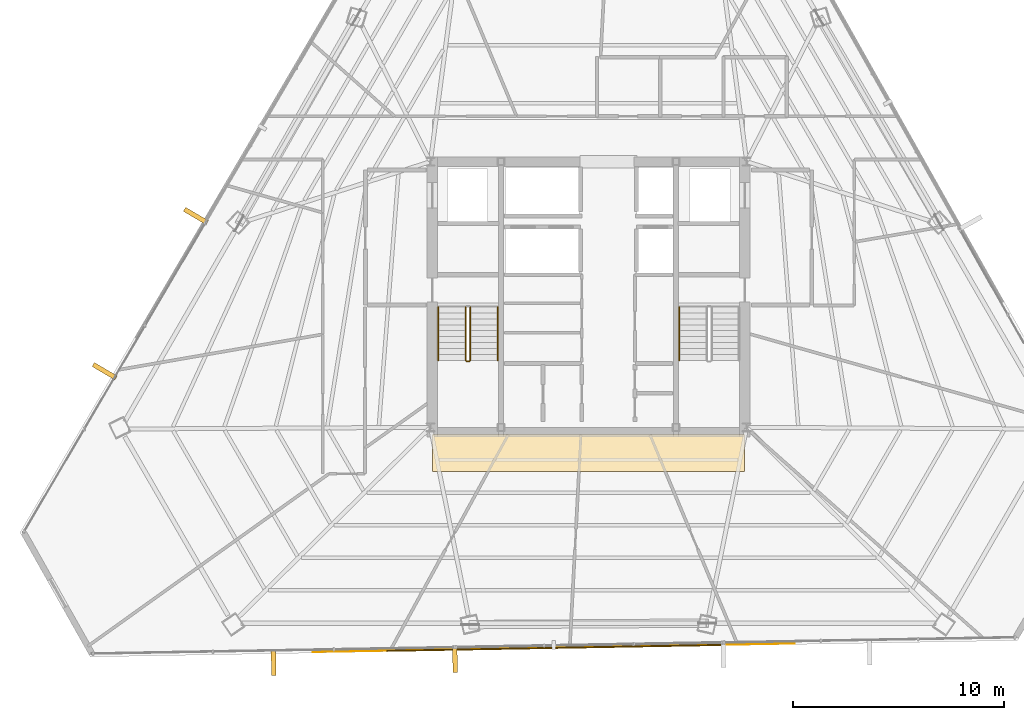
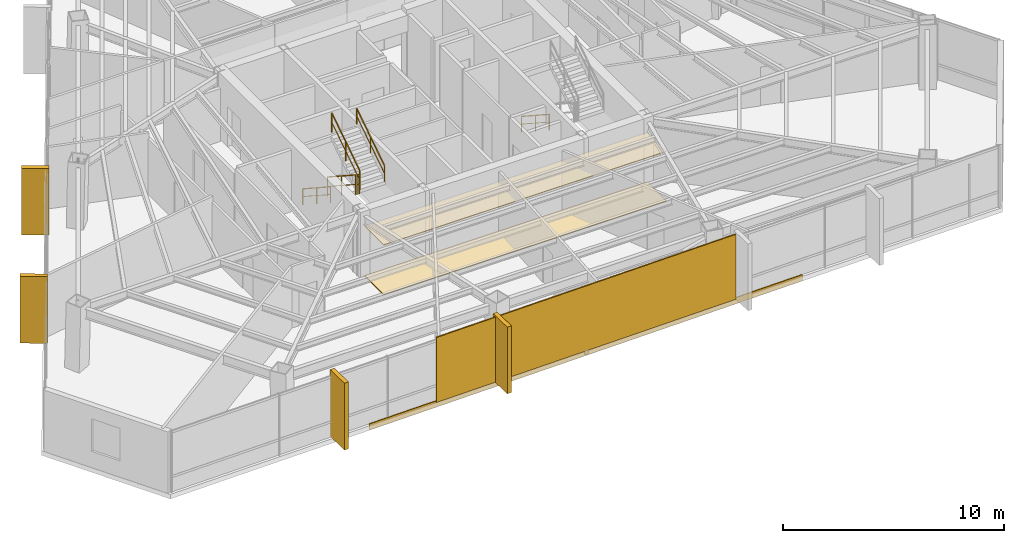
# One storey, part 39 of 42: 7 coverings, 6 railings, 1 shading device.
"""IFC4 building model written with IfcOpenShell, lengths in metres."""

from ifc_helpers import new_model, si_unit, direction, frame, origin, origin_2d, place, context, subcontext, project, spatial, polyline, rectangle, outline, extrude, source, transform, mapped, material, layer, layer_set, type_object, type_shapes, element, save


model = new_model("IFC4")

# Units and contexts
model_context = context("Model", 3, precision=1e-05, world=origin(), true_north=direction((0.0, 1.0)))
body_context = subcontext(model_context, "Body", "Model", "MODEL_VIEW")
ifc_project = project(units=[si_unit("LENGTHUNIT", "METRE"), si_unit("AREAUNIT", "SQUARE_METRE"), si_unit("VOLUMEUNIT", "CUBIC_METRE"), si_unit("PLANEANGLEUNIT", "RADIAN"), si_unit("MASSUNIT", "GRAM", prefix="KILO")], contexts=[model_context])

# Site, building, storey
site_placement = place(None, origin())
site = spatial("IfcSite", under=ifc_project, at=site_placement, CompositionType="ELEMENT")
building_placement = place(site_placement, origin())
building = spatial("IfcBuilding", under=site, at=building_placement, Name="Caelisora Broadcast Tower", CompositionType="ELEMENT")
storey_placement = place(building_placement, frame((0.0, 0.0, 191.35009765625)))
storey = spatial("IfcBuildingStorey", under=building, at=storey_placement, Name="L50", CompositionType="ELEMENT", Elevation=191.35009765625)

# Coverings
ifc_material_1 = material(Name="Perforated Mineral-Fibre Acoustic Ceiling Tile", Category="gypsum")
ifc_layer_1 = layer(ifc_material_1, 0.034912109375, Name="Perforated Mineral-Fibre Acoustic Ceiling Tile")
ifc_layer_set_1 = layer_set([ifc_layer_1], Name="Perforated Mineral-Fibre Acoustic Ceiling Tile")
covering_type_1 = type_object("IfcCoveringType", Name="CE-1", PredefinedType="CEILING", material=ifc_layer_set_1)
covering_1_placement = place(storey_placement, frame((0.0, 0.0, 2.75)))
element("IfcCovering", 1, at=covering_1_placement, inside=storey, type_object=covering_type_1, Name="L50 acoustic corridor ceiling CE-1 (S)", PredefinedType="CEILING", context=body_context, shape_type="SweptSolid", body=[
    extrude(outline(polyline([(30.60009765625, 15.300048828125), (45.39990234375, 15.300048828125), (45.39990234375, 17.050048828125), (30.60009765625, 17.050048828125), (30.60009765625, 15.300048828125)])), origin(), (0.0, 0.0, 1.0), 0.034912109375),
])
ifc_material_2 = material(Name="Anti-Static Broadcast Raised Access Floor Panel", Category="steel")
ifc_layer_2 = layer(ifc_material_2, 0.044921875, Name="Anti-Static Broadcast Raised Access Floor Panel")
ifc_layer_set_2 = layer_set([ifc_layer_2], Name="Anti-Static Broadcast Raised Access Floor Panel")
covering_type_2 = type_object("IfcCoveringType", Name="FL-1", PredefinedType="FLOORING", material=ifc_layer_set_2)
covering_2_placement = place(storey_placement, origin())
element("IfcCovering", 2, at=covering_2_placement, inside=storey, type_object=covering_type_2, Name="L50 broadcast raised access floor FL-1 (S)", PredefinedType="FLOORING", context=body_context, shape_type="SweptSolid", body=[
    extrude(outline(polyline([(30.60009765625, 15.300048828125), (45.39990234375, 15.300048828125), (45.39990234375, 17.050048828125), (30.60009765625, 17.050048828125), (30.60009765625, 15.300048828125)])), origin(), (0.0, 0.0, 1.0), 0.044921875),
])

# Railings
ifc_material_3 = material(Name="Galvanised Steel Safety Guardrail", Category="steel")
ifc_layer_3 = layer(ifc_material_3, 0.048095703125, Name="Galvanised Steel Safety Guardrail")
ifc_layer_set_3 = layer_set([ifc_layer_3], Name="Galvanised Steel Safety Guardrail")
railing_type_1 = type_object("IfcRailingType", Name="GR-1", PredefinedType="GUARDRAIL", material=ifc_layer_set_3)
railing_1_placement = place(storey_placement, frame((32.169921875, 23.10009765625, 0.182373046875)))
element("IfcRailing", 3, at=railing_1_placement, inside=storey, type_object=railing_type_1, Name="L50 ST-1 stair guard 1", PredefinedType="GUARDRAIL", context=body_context, shape_type="SweptSolid", body=[
    extrude(rectangle(XDim=0.048095703125, YDim=0.048095703125, at=origin_2d()), frame((0.0, 0.0, 1.076171875), z_axis=(0.0, -0.837749427056, 0.546054848405), x_axis=(1.0, 0.0, 0.0)), (0.0, 0.0, 1.0), 3.008056640625),
    extrude(rectangle(XDim=0.03125, YDim=0.03125, at=origin_2d()), frame((0.0, 0.0, 0.550048828125), z_axis=(0.0, -0.837749427056, 0.546054848405), x_axis=(1.0, 0.0, 0.0)), (0.0, 0.0, 1.0), 3.008056640625),
    extrude(rectangle(XDim=0.0419921875, YDim=0.0419921875, at=origin_2d()), origin(), (0.0, 0.0, 1.0), 1.052001953125),
    extrude(rectangle(XDim=0.0419921875, YDim=0.0419921875, at=origin_2d()), frame((0.0, -1.260009765625, 0.8212890625)), (0.0, 0.0, 1.0), 1.052001953125),
    extrude(rectangle(XDim=0.0419921875, YDim=0.0419921875, at=origin_2d()), frame((0.0, -2.52001953125, 1.642578125)), (0.0, 0.0, 1.0), 1.052001953125),
])
railing_2_placement = place(storey_placement, frame((32.219970703125, 20.530029296875, 1.824951171875)))
element("IfcRailing", 4, at=railing_2_placement, inside=storey, type_object=railing_type_1, Name="L50 ST-1 stair guard 2", PredefinedType="GUARDRAIL", context=body_context, shape_type="SweptSolid", body=[
    extrude(rectangle(XDim=0.048095703125, YDim=0.048095703125, at=origin_2d()), frame((0.0, 0.0, 1.076171875), z_axis=(1.0, 0.0, 0.0), x_axis=(0.0, 1.0, 0.0)), (0.0, 0.0, 1.0), 0.1201171875),
    extrude(rectangle(XDim=0.03125, YDim=0.03125, at=origin_2d()), frame((0.0, 0.0, 0.550048828125), z_axis=(1.0, 0.0, 0.0), x_axis=(0.0, 1.0, 0.0)), (0.0, 0.0, 1.0), 0.1201171875),
    extrude(rectangle(XDim=0.0419921875, YDim=0.0419921875, at=origin_2d()), origin(), (0.0, 0.0, 1.0), 1.052001953125),
    extrude(rectangle(XDim=0.0419921875, YDim=0.0419921875, at=origin_2d()), frame((0.1201171875, 0.0, 0.0)), (0.0, 0.0, 1.0), 1.052001953125),
])
railing_3_placement = place(storey_placement, frame((32.389892578125, 20.580078125, 2.00732421875)))
element("IfcRailing", 5, at=railing_3_placement, inside=storey, type_object=railing_type_1, Name="L50 ST-1 stair guard 3", PredefinedType="GUARDRAIL", context=body_context, shape_type="SweptSolid", body=[
    extrude(rectangle(XDim=0.048095703125, YDim=0.048095703125, at=origin_2d()), frame((0.0, 0.0, 1.076171875), z_axis=(0.0, 0.837749427056, 0.546054848405), x_axis=(-1.0, 0.0, 0.0)), (0.0, 0.0, 1.0), 3.008056640625),
    extrude(rectangle(XDim=0.03125, YDim=0.03125, at=origin_2d()), frame((0.0, 0.0, 0.550048828125), z_axis=(0.0, 0.837749427056, 0.546054848405), x_axis=(-1.0, 0.0, 0.0)), (0.0, 0.0, 1.0), 3.008056640625),
    extrude(rectangle(XDim=0.0419921875, YDim=0.0419921875, at=origin_2d()), origin(), (0.0, 0.0, 1.0), 1.052001953125),
    extrude(rectangle(XDim=0.0419921875, YDim=0.0419921875, at=origin_2d()), frame((0.0, 1.260009765625, 0.8212890625)), (0.0, 0.0, 1.0), 1.052001953125),
    extrude(rectangle(XDim=0.0419921875, YDim=0.0419921875, at=origin_2d()), frame((0.0, 2.52001953125, 1.642578125)), (0.0, 0.0, 1.0), 1.052001953125),
])
ifc_material_4 = material(Name="Stainless Steel Grade 316 Tubular Handrail", Category="steel")
ifc_layer_4 = layer(ifc_material_4, 0.048095703125, Name="Stainless Steel Grade 316 Tubular Handrail")
ifc_layer_set_4 = layer_set([ifc_layer_4], Name="Stainless Steel Grade 316 Tubular Handrail")
railing_type_2 = type_object("IfcRailingType", Name="HR-1", PredefinedType="HANDRAIL", material=ifc_layer_set_4)
railing_4_placement = place(storey_placement, frame((30.8701171875, 23.10009765625, 0.182373046875)))
element("IfcRailing", 6, at=railing_4_placement, inside=storey, type_object=railing_type_2, Name="L50 ST-1 stair handrail 1", PredefinedType="HANDRAIL", context=body_context, shape_type="SweptSolid", body=[
    extrude(rectangle(XDim=0.048095703125, YDim=0.048095703125, at=origin_2d()), frame((0.0, 0.0, 0.8759765625), z_axis=(0.0, -0.837749427056, 0.546054848405), x_axis=(1.0, 0.0, 0.0)), (0.0, 0.0, 1.0), 3.008056640625),
    extrude(rectangle(XDim=0.03125, YDim=0.03125, at=origin_2d()), frame((0.0, 0.0, 0.449951171875), z_axis=(0.0, -0.837749427056, 0.546054848405), x_axis=(1.0, 0.0, 0.0)), (0.0, 0.0, 1.0), 3.008056640625),
    extrude(rectangle(XDim=0.0419921875, YDim=0.0419921875, at=origin_2d()), origin(), (0.0, 0.0, 1.0), 0.851806640625),
    extrude(rectangle(XDim=0.0419921875, YDim=0.0419921875, at=origin_2d()), frame((0.0, -1.260009765625, 0.8212890625)), (0.0, 0.0, 1.0), 0.851806640625),
    extrude(rectangle(XDim=0.0419921875, YDim=0.0419921875, at=origin_2d()), frame((0.0, -2.52001953125, 1.642578125)), (0.0, 0.0, 1.0), 0.851806640625),
])
railing_5_placement = place(storey_placement, frame((33.68994140625, 20.580078125, 2.00732421875)))
element("IfcRailing", 7, at=railing_5_placement, inside=storey, type_object=railing_type_2, Name="L50 ST-1 stair handrail 2", PredefinedType="HANDRAIL", context=body_context, shape_type="SweptSolid", body=[
    extrude(rectangle(XDim=0.048095703125, YDim=0.048095703125, at=origin_2d()), frame((0.0, 0.0, 0.8759765625), z_axis=(0.0, 0.837749427056, 0.546054848405), x_axis=(-1.0, 0.0, 0.0)), (0.0, 0.0, 1.0), 3.008056640625),
    extrude(rectangle(XDim=0.03125, YDim=0.03125, at=origin_2d()), frame((0.0, 0.0, 0.449951171875), z_axis=(0.0, 0.837749427056, 0.546054848405), x_axis=(-1.0, 0.0, 0.0)), (0.0, 0.0, 1.0), 3.008056640625),
    extrude(rectangle(XDim=0.0419921875, YDim=0.0419921875, at=origin_2d()), origin(), (0.0, 0.0, 1.0), 0.851806640625),
    extrude(rectangle(XDim=0.0419921875, YDim=0.0419921875, at=origin_2d()), frame((0.0, 1.260009765625, 0.8212890625)), (0.0, 0.0, 1.0), 0.851806640625),
    extrude(rectangle(XDim=0.0419921875, YDim=0.0419921875, at=origin_2d()), frame((0.0, 2.52001953125, 1.642578125)), (0.0, 0.0, 1.0), 0.851806640625),
])
railing_6_placement = place(storey_placement, frame((42.31005859375, 23.10009765625, 0.182373046875)))
element("IfcRailing", 8, at=railing_6_placement, inside=storey, type_object=railing_type_2, Name="L50 ST-2 stair handrail 1", PredefinedType="HANDRAIL", context=body_context, shape_type="SweptSolid", body=[
    extrude(rectangle(XDim=0.048095703125, YDim=0.048095703125, at=origin_2d()), frame((0.0, 0.0, 0.8759765625), z_axis=(0.0, -0.837749427056, 0.546054848405), x_axis=(1.0, 0.0, 0.0)), (0.0, 0.0, 1.0), 3.008056640625),
    extrude(rectangle(XDim=0.03125, YDim=0.03125, at=origin_2d()), frame((0.0, 0.0, 0.449951171875), z_axis=(0.0, -0.837749427056, 0.546054848405), x_axis=(1.0, 0.0, 0.0)), (0.0, 0.0, 1.0), 3.008056640625),
    extrude(rectangle(XDim=0.0419921875, YDim=0.0419921875, at=origin_2d()), origin(), (0.0, 0.0, 1.0), 0.851806640625),
    extrude(rectangle(XDim=0.0419921875, YDim=0.0419921875, at=origin_2d()), frame((0.0, -1.260009765625, 0.8212890625)), (0.0, 0.0, 1.0), 0.851806640625),
    extrude(rectangle(XDim=0.0419921875, YDim=0.0419921875, at=origin_2d()), frame((0.0, -2.52001953125, 1.642578125)), (0.0, 0.0, 1.0), 0.851806640625),
])

# Coverings
ifc_material_5 = material(Name="Kiln-Fired Terracotta Spandrel Rainscreen Cladding", Category="ceramic")
ifc_layer_5 = layer(ifc_material_5, 0.044921875, Name="Kiln-Fired Terracotta Spandrel Rainscreen Cladding")
ifc_layer_set_5 = layer_set([ifc_layer_5], Name="Kiln-Fired Terracotta Spandrel Rainscreen Cladding")
covering_type_3 = type_object("IfcCoveringType", Name="CL-1", PredefinedType="CLADDING", material=ifc_layer_set_5)
shared_shape_1 = source(origin(), body_context, "Body", "SweptSolid", [
    extrude(rectangle(XDim=0.219970703125, YDim=1.25, at=origin_2d()), origin(), (0.0, 0.0, 1.0), 3.68994140625),
])
for number, where, z_axis, x_axis, name in (
    (9, (31.666259765625, 6.406982421875, -0.02001953125), (0.0, 0.0, 1.0), (-0.999844633908, -0.017626912514, 0.0), "L50 vertical solar fin cladding #2-3"),
    (10, (23.0634765625, 6.255126953125, -0.02001953125), (0.0, 0.0, 1.0), (-0.999844633908, -0.017626912514, 0.0), "L50 vertical solar fin cladding #2-4"),
    (11, (15.05029296875, 20.059814453125, -0.02001953125), (0.0, 0.0, 1.0), (0.506334807353, 0.862336977557, 0.0), "L50 vertical solar fin cladding #3-1"),
    (12, (19.373779296875, 27.4228515625, -0.02001953125), (0.0, 0.0, 1.0), (0.506334807353, 0.862336977557, 0.0), "L50 vertical solar fin cladding #3-2"),
):
    element("IfcCovering", number, at=place(storey_placement, frame(where, z_axis=z_axis, x_axis=x_axis)), inside=storey, type_object=covering_type_3, Name=name, PredefinedType="CLADDING", context=body_context, shape_type="MappedRepresentation", body=[
        mapped(shared_shape_1, transform((0.0, 0.0, 0.0), scale=1.0)),
    ])

# Shading device
ifc_material_6 = material(Name="Perforated Glazed Terracotta Baguette Solar Screen", Category="ceramic")
ifc_layer_6 = layer(ifc_material_6, 0.06494140625, Name="Perforated Glazed Terracotta Baguette Solar Screen")
ifc_layer_set_6 = layer_set([ifc_layer_6], Name="Perforated Glazed Terracotta Baguette Solar Screen")
shading_device_type = type_object("IfcShadingDeviceType", Name="SS-1", PredefinedType="USERDEFINED", material=ifc_layer_set_6)
shared_shape_2 = source(origin(), body_context, "Body", "SweptSolid", [
    extrude(rectangle(XDim=15.8349609375, YDim=0.06494140625, at=origin_2d()), origin(), (0.0, 0.0, 1.0), 3.590087890625),
])
type_shapes(shading_device_type, [shared_shape_2])
shading_device_placement = place(storey_placement, frame((36.352783203125, 6.93994140625, 0.0), z_axis=(0.0, 0.0, 1.0), x_axis=(0.999844633908, 0.017626912514, 0.0)))
element("IfcShadingDevice", 13, at=shading_device_placement, inside=storey, type_object=shading_device_type, Name="L50 perforated terracotta solar screen #2", ObjectType="SOLAR SCREEN", PredefinedType="USERDEFINED", context=body_context, shape_type="MappedRepresentation", body=[
    mapped(shared_shape_2, transform((0.0, 0.0, 0.0), scale=1.0)),
])

# Covering
shared_shape_3 = source(origin(), body_context, "Body", "SweptSolid", [
    extrude(rectangle(XDim=22.873046875, YDim=0.044921875, at=origin_2d()), origin(), (0.0, 0.0, 1.0), 0.340087890625),
])
type_shapes(covering_type_3, [shared_shape_1, shared_shape_3])
covering_3_placement = place(storey_placement, frame((36.352294921875, 6.9599609375, -0.27001953125), z_axis=(0.0, 0.0, 1.0), x_axis=(0.999844633908, 0.017626912514, 0.0)))
element("IfcCovering", 14, at=covering_3_placement, inside=storey, type_object=covering_type_3, Name="L50 terracotta spandrel rainscreen #2", PredefinedType="CLADDING", context=body_context, shape_type="MappedRepresentation", body=[
    mapped(shared_shape_3, transform((0.0, 0.0, 0.0), scale=1.0)),
])

save(model, "model.ifc")
